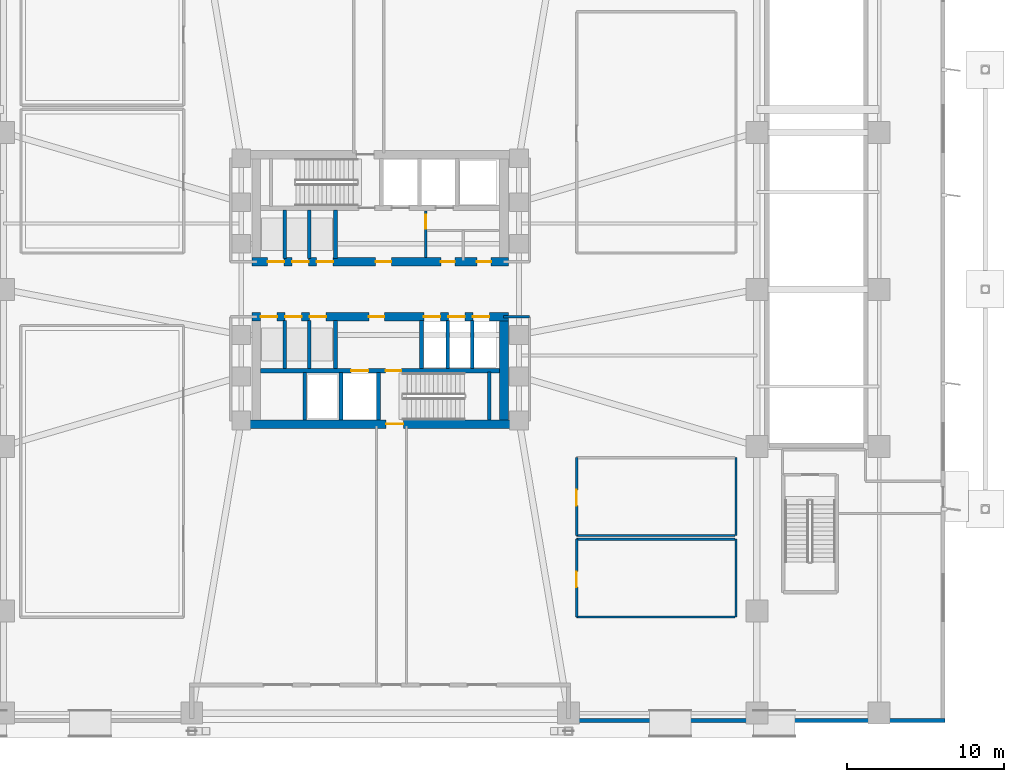
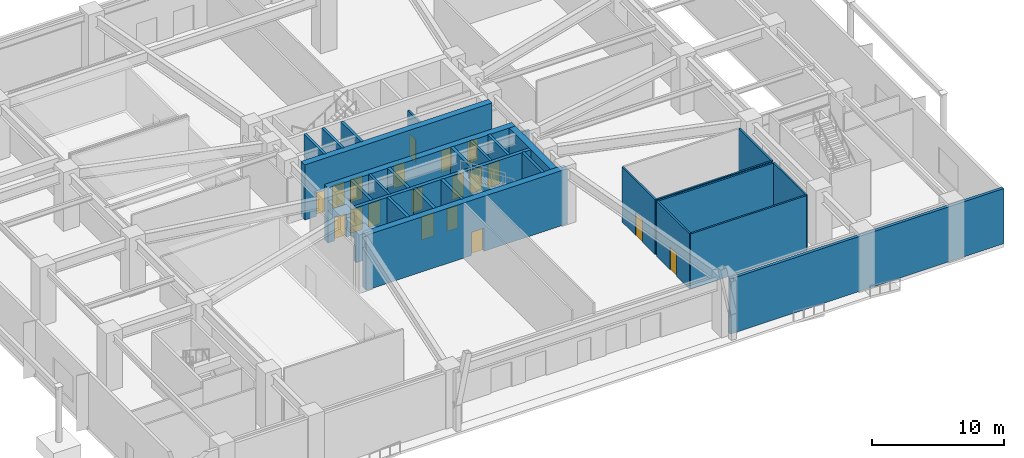
# One storey, part 12 of 20: 28 walls, 19 doors, 19 openings.
"""IFC4 building model written with IfcOpenShell, lengths in metres."""

from ifc_helpers import new_model, si_unit, direction, frame, frame_2d, origin, place, context, subcontext, project, spatial, rectangle, extrude, material, layer, layer_set, type_object, element, fill, save


model = new_model("IFC4")

# Units and contexts
model_context = context("Model", 3, precision=1e-05, world=origin(), true_north=direction((0.0, 1.0)))
body_context = subcontext(model_context, "Body", "Model", "MODEL_VIEW")
ifc_project = project(units=[si_unit("LENGTHUNIT", "METRE"), si_unit("AREAUNIT", "SQUARE_METRE"), si_unit("VOLUMEUNIT", "CUBIC_METRE"), si_unit("PLANEANGLEUNIT", "RADIAN"), si_unit("MASSUNIT", "GRAM", prefix="KILO")], contexts=[model_context])

# Site, building, storey
site_placement = place(None, origin())
site = spatial("IfcSite", under=ifc_project, at=site_placement, CompositionType="ELEMENT")
building_placement = place(site_placement, origin())
building = spatial("IfcBuilding", under=site, at=building_placement, Name="Solmarez Civic Tower", CompositionType="ELEMENT")
storey_placement = place(building_placement, origin())
storey = spatial("IfcBuildingStorey", under=building, at=storey_placement, Name="L00", CompositionType="ELEMENT", Elevation=0.0)

# Wall, openings, doors
ifc_material_1 = material(Name="Concrete C60/75", Category="concrete")
ifc_layer_1 = layer(ifc_material_1, 0.550048828125)
ifc_layer_set_1 = layer_set([ifc_layer_1], Name="Concrete C60/75")
wall_type_1 = type_object("IfcWallType", Name="WALL-CORE-550", PredefinedType="SHEAR", material=ifc_layer_set_1)
wall_1_placement = place(storey_placement, frame((8.169921875, 1.75, 0.0), z_axis=(0.0, 0.0, 1.0), x_axis=(-1.0, 0.0, 0.0)))
wall_1 = element("IfcWall", 1, at=wall_1_placement, inside=storey, type_object=wall_type_1, Name="L00 Split-Core Structural Wall NCW-S-L00", PredefinedType="SHEAR", context=body_context, shape_type="SweptSolid", body=[
    extrude(rectangle(XDim=16.33984375, YDim=0.550048828125, at=frame_2d((8.169921875, 0.0))), origin(), (0.0, 0.0, 1.0), 5.080078125),
])
opening_1_placement = place(wall_1_placement, frame((7.449951171875, 0.0, 0.0)))
opening_1 = element("IfcOpeningElement", 2, at=opening_1_placement, cuts=wall_1, Name="Opening D-04", PredefinedType="OPENING", context=body_context, shape_type="SweptSolid", body=[
    extrude(rectangle(XDim=1.0, YDim=2.10009765625, at=frame_2d((0.5, 1.050048828125))), frame((0.0, 0.284912109375, 0.0), z_axis=(0.0, -1.0, 0.0), x_axis=(1.0, 0.0, 0.0)), (0.0, 0.0, 1.0), 0.570068359375),
])
opening_2_placement = place(wall_1_placement, frame((14.284912109375, 0.0, 0.0)))
opening_2 = element("IfcOpeningElement", 3, at=opening_2_placement, cuts=wall_1, Name="Opening LD-01", PredefinedType="OPENING", context=body_context, shape_type="SweptSolid", body=[
    extrude(rectangle(XDim=1.050048828125, YDim=2.14990234375, at=frame_2d((0.52490234375, 1.074951171875))), frame((0.0, 0.284912109375, 0.0), z_axis=(0.0, -1.0, 0.0), x_axis=(1.0, 0.0, 0.0)), (0.0, 0.0, 1.0), 0.570068359375),
])
opening_3_placement = place(wall_1_placement, frame((12.72509765625, 0.0, 0.0)))
opening_3 = element("IfcOpeningElement", 4, at=opening_3_placement, cuts=wall_1, Name="Opening LD-01", PredefinedType="OPENING", context=body_context, shape_type="SweptSolid", body=[
    extrude(rectangle(XDim=1.050048828125, YDim=2.14990234375, at=frame_2d((0.52490234375, 1.074951171875))), frame((0.0, 0.284912109375, 0.0), z_axis=(0.0, -1.0, 0.0), x_axis=(1.0, 0.0, 0.0)), (0.0, 0.0, 1.0), 0.570068359375),
])
opening_4_placement = place(wall_1_placement, frame((11.1650390625, 0.0, 0.0)))
opening_4 = element("IfcOpeningElement", 5, at=opening_4_placement, cuts=wall_1, Name="Opening LD-01", PredefinedType="OPENING", context=body_context, shape_type="SweptSolid", body=[
    extrude(rectangle(XDim=1.050048828125, YDim=2.14990234375, at=frame_2d((0.52490234375, 1.074951171875))), frame((0.0, 0.284912109375, 0.0), z_axis=(0.0, -1.0, 0.0), x_axis=(1.0, 0.0, 0.0)), (0.0, 0.0, 1.0), 0.570068359375),
])
opening_5_placement = place(wall_1_placement, frame((3.39990234375, 0.0, 0.0)))
opening_5 = element("IfcOpeningElement", 6, at=opening_5_placement, cuts=wall_1, Name="Opening D-09", PredefinedType="OPENING", context=body_context, shape_type="SweptSolid", body=[
    extrude(rectangle(XDim=0.89990234375, YDim=2.06005859375, at=frame_2d((0.449951171875, 1.030029296875))), frame((0.0, 0.284912109375, 0.0), z_axis=(0.0, -1.0, 0.0), x_axis=(1.0, 0.0, 0.0)), (0.0, 0.0, 1.0), 0.570068359375),
])
opening_6_placement = place(wall_1_placement, frame((1.10009765625, 0.0, 0.0)))
opening_6 = element("IfcOpeningElement", 7, at=opening_6_placement, cuts=wall_1, Name="Opening D-09", PredefinedType="OPENING", context=body_context, shape_type="SweptSolid", body=[
    extrude(rectangle(XDim=0.89990234375, YDim=2.06005859375, at=frame_2d((0.449951171875, 1.030029296875))), frame((0.0, 0.284912109375, 0.0), z_axis=(0.0, -1.0, 0.0), x_axis=(1.0, 0.0, 0.0)), (0.0, 0.0, 1.0), 0.570068359375),
])
ifc_material_2 = material(Name="Steel-Faced Acoustic Fire Door", Category="steel")
door_type_1 = type_object("IfcDoorType", Name="DOOR-FD60-1000", OperationType="NOTDEFINED", PredefinedType="DOOR", material=ifc_material_2)
door_1_placement = place(opening_1_placement, origin())
door_1 = element("IfcDoor", 8, at=door_1_placement, inside=storey, type_object=door_type_1, Name="L00 North Firefighting Lobby Door", OperationType="SINGLE_SWING_LEFT", OverallHeight=2.10009765625, OverallWidth=1.0, PredefinedType="DOOR", context=body_context, shape_type="SweptSolid", body=[
    extrude(rectangle(XDim=1.0, YDim=2.10009765625, at=frame_2d((0.5, 1.050048828125))), frame((0.0, 0.02490234375, 0.0), z_axis=(0.0, -1.0, 0.0), x_axis=(1.0, 0.0, 0.0)), (0.0, 0.0, 1.0), 0.050048828125),
])
fill(opening_1, door_1)
ifc_material_3 = material(Name="Fire-Rated Service Core Door", Category="wood")
door_type_2 = type_object("IfcDoorType", Name="DOOR-FD60-900", OperationType="NOTDEFINED", PredefinedType="DOOR", material=ifc_material_3)
door_2_placement = place(opening_5_placement, origin())
door_2 = element("IfcDoor", 9, at=door_2_placement, inside=storey, type_object=door_type_2, Name="L00 Core WC Door", OperationType="SINGLE_SWING_LEFT", OverallHeight=2.06005859375, OverallWidth=0.89990234375, PredefinedType="DOOR", context=body_context, shape_type="SweptSolid", body=[
    extrude(rectangle(XDim=0.89990234375, YDim=2.06005859375, at=frame_2d((0.449951171875, 1.030029296875))), frame((0.0, 0.02490234375, 0.0), z_axis=(0.0, -1.0, 0.0), x_axis=(1.0, 0.0, 0.0)), (0.0, 0.0, 1.0), 0.050048828125),
])
fill(opening_5, door_2)
door_3_placement = place(opening_6_placement, origin())
door_3 = element("IfcDoor", 10, at=door_3_placement, inside=storey, type_object=door_type_2, Name="L00 Core CL Door", OperationType="SINGLE_SWING_RIGHT", OverallHeight=2.06005859375, OverallWidth=0.89990234375, PredefinedType="DOOR", context=body_context, shape_type="SweptSolid", body=[
    extrude(rectangle(XDim=0.89990234375, YDim=2.06005859375, at=frame_2d((0.449951171875, 1.030029296875))), frame((0.0, 0.02490234375, 0.0), z_axis=(0.0, -1.0, 0.0), x_axis=(1.0, 0.0, 0.0)), (0.0, 0.0, 1.0), 0.050048828125),
])
fill(opening_6, door_3)
ifc_material_4 = material(Name="Bronze Passenger Lift Landing Sliding Door", Category="aluminium")
door_type_3 = type_object("IfcDoorType", Name="DOOR-LD-PAX-1050", OperationType="DOUBLE_DOOR_SLIDING", PredefinedType="DOOR", material=ifc_material_4)
door_4_placement = place(opening_2_placement, origin())
door_4 = element("IfcDoor", 11, at=door_4_placement, inside=storey, type_object=door_type_3, Name="L00 High-Rise Lift Landing Door PL-H1", OperationType="DOUBLE_DOOR_SLIDING", OverallHeight=2.14990234375, OverallWidth=1.050048828125, PredefinedType="DOOR", context=body_context, shape_type="SweptSolid", body=[
    extrude(rectangle(XDim=1.050048828125, YDim=2.14990234375, at=frame_2d((0.52490234375, 1.074951171875))), frame((0.0, 0.02490234375, 0.0), z_axis=(0.0, -1.0, 0.0), x_axis=(1.0, 0.0, 0.0)), (0.0, 0.0, 1.0), 0.050048828125),
])
fill(opening_2, door_4)
door_5_placement = place(opening_3_placement, origin())
door_5 = element("IfcDoor", 12, at=door_5_placement, inside=storey, type_object=door_type_3, Name="L00 High-Rise Lift Landing Door PL-H2", OperationType="DOUBLE_DOOR_SLIDING", OverallHeight=2.14990234375, OverallWidth=1.050048828125, PredefinedType="DOOR", context=body_context, shape_type="SweptSolid", body=[
    extrude(rectangle(XDim=1.050048828125, YDim=2.14990234375, at=frame_2d((0.52490234375, 1.074951171875))), frame((0.0, 0.02490234375, 0.0), z_axis=(0.0, -1.0, 0.0), x_axis=(1.0, 0.0, 0.0)), (0.0, 0.0, 1.0), 0.050048828125),
])
fill(opening_3, door_5)
door_6_placement = place(opening_4_placement, origin())
door_6 = element("IfcDoor", 13, at=door_6_placement, inside=storey, type_object=door_type_3, Name="L00 High-Rise Lift Landing Door PL-H3", OperationType="DOUBLE_DOOR_SLIDING", OverallHeight=2.14990234375, OverallWidth=1.050048828125, PredefinedType="DOOR", context=body_context, shape_type="SweptSolid", body=[
    extrude(rectangle(XDim=1.050048828125, YDim=2.14990234375, at=frame_2d((0.52490234375, 1.074951171875))), frame((0.0, 0.02490234375, 0.0), z_axis=(0.0, -1.0, 0.0), x_axis=(1.0, 0.0, 0.0)), (0.0, 0.0, 1.0), 0.050048828125),
])
fill(opening_4, door_6)

# Wall, opening, door
wall_2_placement = place(storey_placement, frame((8.780029296875, -8.5849609375, 0.0), z_axis=(0.0, 0.0, 1.0), x_axis=(-1.0, 0.0, 0.0)))
wall_2 = element("IfcWall", 14, at=wall_2_placement, inside=storey, type_object=wall_type_1, Name="L00 Split-Core Structural Wall SCW-S-L00", PredefinedType="SHEAR", context=body_context, shape_type="SweptSolid", body=[
    extrude(rectangle(XDim=17.56005859375, YDim=0.550048828125, at=frame_2d((8.780029296875, 0.0))), origin(), (0.0, 0.0, 1.0), 5.080078125),
])
opening_7_placement = place(wall_2_placement, frame((7.2900390625, 0.0, 0.0)))
opening_7 = element("IfcOpeningElement", 15, at=opening_7_placement, cuts=wall_2, Name="Opening D-07", PredefinedType="OPENING", context=body_context, shape_type="SweptSolid", body=[
    extrude(rectangle(XDim=1.10009765625, YDim=2.14990234375, at=frame_2d((0.550048828125, 1.074951171875))), frame((0.0, 0.284912109375, 0.0), z_axis=(0.0, -1.0, 0.0), x_axis=(1.0, 0.0, 0.0)), (0.0, 0.0, 1.0), 0.570068359375),
])
ifc_material_5 = material(Name="Heavy-Duty Fire Exit Door", Category="wood")
door_type_4 = type_object("IfcDoorType", Name="DOOR-FD90-1100", OperationType="NOTDEFINED", PredefinedType="DOOR", material=ifc_material_5)
door_7_placement = place(opening_7_placement, origin())
door_7 = element("IfcDoor", 16, at=door_7_placement, inside=storey, type_object=door_type_4, Name="L00 South Stair Exit Discharge Door", OperationType="SINGLE_SWING_LEFT", OverallHeight=2.14990234375, OverallWidth=1.10009765625, PredefinedType="DOOR", context=body_context, shape_type="SweptSolid", body=[
    extrude(rectangle(XDim=1.10009765625, YDim=2.14990234375, at=frame_2d((0.550048828125, 1.074951171875))), frame((0.0, 0.02490234375, 0.0), z_axis=(0.0, -1.0, 0.0), x_axis=(1.0, 0.0, 0.0)), (0.0, 0.0, 1.0), 0.050048828125),
])
fill(opening_7, door_7)

# Wall, openings, doors
wall_3_placement = place(storey_placement, frame((-8.169921875, -1.75, 0.0), z_axis=(0.0, 0.0, 1.0), x_axis=(1.0, 0.0, 0.0)))
wall_3 = element("IfcWall", 17, at=wall_3_placement, inside=storey, type_object=wall_type_1, Name="L00 Split-Core Structural Wall SCW-N-L00", PredefinedType="SHEAR", context=body_context, shape_type="SweptSolid", body=[
    extrude(rectangle(XDim=16.33984375, YDim=0.550048828125, at=frame_2d((8.169921875, 0.0))), origin(), (0.0, 0.0, 1.0), 5.080078125),
])
opening_8_placement = place(wall_3_placement, frame((7.449951171875, 0.0, 0.0)))
opening_8 = element("IfcOpeningElement", 18, at=opening_8_placement, cuts=wall_3, Name="Opening D-04", PredefinedType="OPENING", context=body_context, shape_type="SweptSolid", body=[
    extrude(rectangle(XDim=1.0, YDim=2.10009765625, at=frame_2d((0.5, 1.050048828125))), frame((0.0, 0.284912109375, 0.0), z_axis=(0.0, -1.0, 0.0), x_axis=(1.0, 0.0, 0.0)), (0.0, 0.0, 1.0), 0.570068359375),
])
opening_9_placement = place(wall_3_placement, frame((10.965087890625, 0.0, 0.0)))
opening_9 = element("IfcOpeningElement", 19, at=opening_9_placement, cuts=wall_3, Name="Opening LD-01", PredefinedType="OPENING", context=body_context, shape_type="SweptSolid", body=[
    extrude(rectangle(XDim=1.050048828125, YDim=2.14990234375, at=frame_2d((0.52490234375, 1.074951171875))), frame((0.0, 0.284912109375, 0.0), z_axis=(0.0, -1.0, 0.0), x_axis=(1.0, 0.0, 0.0)), (0.0, 0.0, 1.0), 0.570068359375),
])
opening_10_placement = place(wall_3_placement, frame((12.52490234375, 0.0, 0.0)))
opening_10 = element("IfcOpeningElement", 20, at=opening_10_placement, cuts=wall_3, Name="Opening LD-01", PredefinedType="OPENING", context=body_context, shape_type="SweptSolid", body=[
    extrude(rectangle(XDim=1.050048828125, YDim=2.14990234375, at=frame_2d((0.52490234375, 1.074951171875))), frame((0.0, 0.284912109375, 0.0), z_axis=(0.0, -1.0, 0.0), x_axis=(1.0, 0.0, 0.0)), (0.0, 0.0, 1.0), 0.570068359375),
])
opening_11_placement = place(wall_3_placement, frame((14.0849609375, 0.0, 0.0)))
opening_11 = element("IfcOpeningElement", 21, at=opening_11_placement, cuts=wall_3, Name="Opening LD-01", PredefinedType="OPENING", context=body_context, shape_type="SweptSolid", body=[
    extrude(rectangle(XDim=1.050048828125, YDim=2.14990234375, at=frame_2d((0.52490234375, 1.074951171875))), frame((0.0, 0.284912109375, 0.0), z_axis=(0.0, -1.0, 0.0), x_axis=(1.0, 0.0, 0.0)), (0.0, 0.0, 1.0), 0.570068359375),
])
opening_12_placement = place(wall_3_placement, frame((0.56494140625, 0.0, 0.0)))
opening_12 = element("IfcOpeningElement", 22, at=opening_12_placement, cuts=wall_3, Name="Opening LD-01", PredefinedType="OPENING", context=body_context, shape_type="SweptSolid", body=[
    extrude(rectangle(XDim=1.050048828125, YDim=2.14990234375, at=frame_2d((0.52490234375, 1.074951171875))), frame((0.0, 0.284912109375, 0.0), z_axis=(0.0, -1.0, 0.0), x_axis=(1.0, 0.0, 0.0)), (0.0, 0.0, 1.0), 0.570068359375),
])
opening_13_placement = place(wall_3_placement, frame((2.125, 0.0, 0.0)))
opening_13 = element("IfcOpeningElement", 23, at=opening_13_placement, cuts=wall_3, Name="Opening LD-01", PredefinedType="OPENING", context=body_context, shape_type="SweptSolid", body=[
    extrude(rectangle(XDim=1.050048828125, YDim=2.14990234375, at=frame_2d((0.52490234375, 1.074951171875))), frame((0.0, 0.284912109375, 0.0), z_axis=(0.0, -1.0, 0.0), x_axis=(1.0, 0.0, 0.0)), (0.0, 0.0, 1.0), 0.570068359375),
])
opening_14_placement = place(wall_3_placement, frame((3.68505859375, 0.0, 0.0)))
opening_14 = element("IfcOpeningElement", 24, at=opening_14_placement, cuts=wall_3, Name="Opening LD-01", PredefinedType="OPENING", context=body_context, shape_type="SweptSolid", body=[
    extrude(rectangle(XDim=1.050048828125, YDim=2.14990234375, at=frame_2d((0.52490234375, 1.074951171875))), frame((0.0, 0.284912109375, 0.0), z_axis=(0.0, -1.0, 0.0), x_axis=(1.0, 0.0, 0.0)), (0.0, 0.0, 1.0), 0.570068359375),
])
door_8_placement = place(opening_8_placement, origin())
door_8 = element("IfcDoor", 25, at=door_8_placement, inside=storey, type_object=door_type_1, Name="L00 South Firefighting Lobby Door", OperationType="SINGLE_SWING_RIGHT", OverallHeight=2.10009765625, OverallWidth=1.0, PredefinedType="DOOR", context=body_context, shape_type="SweptSolid", body=[
    extrude(rectangle(XDim=1.0, YDim=2.10009765625, at=frame_2d((0.5, 1.050048828125))), frame((0.0, 0.02490234375, 0.0), z_axis=(0.0, -1.0, 0.0), x_axis=(1.0, 0.0, 0.0)), (0.0, 0.0, 1.0), 0.050048828125),
])
fill(opening_8, door_8)
door_9_placement = place(opening_9_placement, origin())
door_9 = element("IfcDoor", 26, at=door_9_placement, inside=storey, type_object=door_type_3, Name="L00 Low-Rise Lift Landing Door PL-L1", OperationType="DOUBLE_DOOR_SLIDING", OverallHeight=2.14990234375, OverallWidth=1.050048828125, PredefinedType="DOOR", context=body_context, shape_type="SweptSolid", body=[
    extrude(rectangle(XDim=1.050048828125, YDim=2.14990234375, at=frame_2d((0.52490234375, 1.074951171875))), frame((0.0, 0.02490234375, 0.0), z_axis=(0.0, -1.0, 0.0), x_axis=(1.0, 0.0, 0.0)), (0.0, 0.0, 1.0), 0.050048828125),
])
fill(opening_9, door_9)
door_10_placement = place(opening_10_placement, origin())
door_10 = element("IfcDoor", 27, at=door_10_placement, inside=storey, type_object=door_type_3, Name="L00 Low-Rise Lift Landing Door PL-L2", OperationType="DOUBLE_DOOR_SLIDING", OverallHeight=2.14990234375, OverallWidth=1.050048828125, PredefinedType="DOOR", context=body_context, shape_type="SweptSolid", body=[
    extrude(rectangle(XDim=1.050048828125, YDim=2.14990234375, at=frame_2d((0.52490234375, 1.074951171875))), frame((0.0, 0.02490234375, 0.0), z_axis=(0.0, -1.0, 0.0), x_axis=(1.0, 0.0, 0.0)), (0.0, 0.0, 1.0), 0.050048828125),
])
fill(opening_10, door_10)
door_11_placement = place(opening_11_placement, origin())
door_11 = element("IfcDoor", 28, at=door_11_placement, inside=storey, type_object=door_type_3, Name="L00 Low-Rise Lift Landing Door PL-L3", OperationType="DOUBLE_DOOR_SLIDING", OverallHeight=2.14990234375, OverallWidth=1.050048828125, PredefinedType="DOOR", context=body_context, shape_type="SweptSolid", body=[
    extrude(rectangle(XDim=1.050048828125, YDim=2.14990234375, at=frame_2d((0.52490234375, 1.074951171875))), frame((0.0, 0.02490234375, 0.0), z_axis=(0.0, -1.0, 0.0), x_axis=(1.0, 0.0, 0.0)), (0.0, 0.0, 1.0), 0.050048828125),
])
fill(opening_11, door_11)
door_12_placement = place(opening_12_placement, origin())
door_12 = element("IfcDoor", 29, at=door_12_placement, inside=storey, type_object=door_type_3, Name="L00 Mid-Rise Lift Landing Door PL-M1", OperationType="DOUBLE_DOOR_SLIDING", OverallHeight=2.14990234375, OverallWidth=1.050048828125, PredefinedType="DOOR", context=body_context, shape_type="SweptSolid", body=[
    extrude(rectangle(XDim=1.050048828125, YDim=2.14990234375, at=frame_2d((0.52490234375, 1.074951171875))), frame((0.0, 0.02490234375, 0.0), z_axis=(0.0, -1.0, 0.0), x_axis=(1.0, 0.0, 0.0)), (0.0, 0.0, 1.0), 0.050048828125),
])
fill(opening_12, door_12)
door_13_placement = place(opening_13_placement, origin())
door_13 = element("IfcDoor", 30, at=door_13_placement, inside=storey, type_object=door_type_3, Name="L00 Mid-Rise Lift Landing Door PL-M2", OperationType="DOUBLE_DOOR_SLIDING", OverallHeight=2.14990234375, OverallWidth=1.050048828125, PredefinedType="DOOR", context=body_context, shape_type="SweptSolid", body=[
    extrude(rectangle(XDim=1.050048828125, YDim=2.14990234375, at=frame_2d((0.52490234375, 1.074951171875))), frame((0.0, 0.02490234375, 0.0), z_axis=(0.0, -1.0, 0.0), x_axis=(1.0, 0.0, 0.0)), (0.0, 0.0, 1.0), 0.050048828125),
])
fill(opening_13, door_13)
door_14_placement = place(opening_14_placement, origin())
door_14 = element("IfcDoor", 31, at=door_14_placement, inside=storey, type_object=door_type_3, Name="L00 Mid-Rise Lift Landing Door PL-M3", OperationType="DOUBLE_DOOR_SLIDING", OverallHeight=2.14990234375, OverallWidth=1.050048828125, PredefinedType="DOOR", context=body_context, shape_type="SweptSolid", body=[
    extrude(rectangle(XDim=1.050048828125, YDim=2.14990234375, at=frame_2d((0.52490234375, 1.074951171875))), frame((0.0, 0.02490234375, 0.0), z_axis=(0.0, -1.0, 0.0), x_axis=(1.0, 0.0, 0.0)), (0.0, 0.0, 1.0), 0.050048828125),
])
fill(opening_14, door_14)

# Walls
wall_4_placement = place(storey_placement, frame((7.89501953125, -2.02490234375, 0.0), z_axis=(0.0, 0.0, 1.0), x_axis=(0.0, -1.0, 0.0)))
element("IfcWall", 32, at=wall_4_placement, inside=storey, type_object=wall_type_1, Name="L00 Split-Core Structural Wall SCW-E-L00", PredefinedType="SHEAR", context=body_context, shape_type="SweptSolid", body=[
    extrude(rectangle(XDim=6.28515625, YDim=0.550048828125, at=frame_2d((3.142578125, 0.0))), origin(), (0.0, 0.0, 1.0), 5.080078125),
])
ifc_material_6 = material(Name="Precast concrete C40/50", Category="concrete")
ifc_layer_2 = layer(ifc_material_6, 0.260009765625)
ifc_layer_set_2 = layer_set([ifc_layer_2], Name="Precast concrete C40/50")
wall_type_2 = type_object("IfcWallType", Name="WALL-EXT-260", PredefinedType="SOLIDWALL", material=ifc_layer_set_2)
wall_5_placement = place(storey_placement, frame((36.0, -27.469970703125, 0.0), z_axis=(0.0, 0.0, 1.0), x_axis=(-1.0, 0.0, 0.0)))
element("IfcWall", 33, at=wall_5_placement, inside=storey, type_object=wall_type_2, Name="L00 South Arch Podium Wall EW-SE-L00", PredefinedType="SOLIDWALL", context=body_context, shape_type="SweptSolid", body=[
    extrude(rectangle(XDim=23.8701171875, YDim=0.260009765625, at=frame_2d((11.93505859375, 0.0))), origin(), (0.0, 0.0, 1.0), 5.080078125),
])
ifc_material_7 = material(Name="Gypsum Board Acoustic Steel-Stud Partition", Category="steel")
ifc_layer_3 = layer(ifc_material_7, 0.14990234375)
ifc_layer_set_3 = layer_set([ifc_layer_3], Name="Gypsum Board Acoustic Steel-Stud Partition")
wall_type_3 = type_object("IfcWallType", Name="WALL-INT-FIRE-150", PredefinedType="PARTITIONING", material=ifc_layer_set_3)
wall_6_placement = place(storey_placement, frame((7.85009765625, -1.75, 0.0), z_axis=(0.0, 0.0, 1.0), x_axis=(1.0, 0.0, 0.0)))
element("IfcWall", 34, at=wall_6_placement, inside=storey, type_object=wall_type_3, Name="L00 Interior Partition CHW-L00-ES3", PredefinedType="PARTITIONING", context=body_context, shape_type="SweptSolid", body=[
    extrude(rectangle(XDim=1.669921875, YDim=0.14990234375, at=frame_2d((0.8349609375, 0.0))), origin(), (0.0, 0.0, 1.0), 4.14501953125),
])

# Wall, opening, door
wall_7_placement = place(storey_placement, frame((12.52001953125, -20.8798828125, 0.0), z_axis=(0.0, 0.0, 1.0), x_axis=(0.0, 1.0, 0.0)))
wall_7 = element("IfcWall", 35, at=wall_7_placement, inside=storey, type_object=wall_type_3, Name="L00 Interior Partition PT-L00-FCC-F", PredefinedType="PARTITIONING", context=body_context, shape_type="SweptSolid", body=[
    extrude(rectangle(XDim=4.9599609375, YDim=0.14990234375, at=frame_2d((2.47998046875, 0.0))), origin(), (0.0, 0.0, 1.0), 5.080078125),
])
opening_15_placement = place(wall_7_placement, frame((1.89990234375, 0.0, 0.0)))
opening_15 = element("IfcOpeningElement", 36, at=opening_15_placement, cuts=wall_7, Name="Opening D-04", PredefinedType="OPENING", context=body_context, shape_type="SweptSolid", body=[
    extrude(rectangle(XDim=1.0, YDim=2.10009765625, at=frame_2d((0.5, 1.050048828125))), frame((0.0, 0.0849609375, 0.0), z_axis=(0.0, -1.0, 0.0), x_axis=(1.0, 0.0, 0.0)), (0.0, 0.0, 1.0), 0.169921875),
])
door_15_placement = place(opening_15_placement, origin())
door_15 = element("IfcDoor", 37, at=door_15_placement, inside=storey, type_object=door_type_1, Name="L00 Fire Command Room Door", OperationType="SINGLE_SWING_LEFT", OverallHeight=2.10009765625, OverallWidth=1.0, PredefinedType="DOOR", context=body_context, shape_type="SweptSolid", body=[
    extrude(rectangle(XDim=1.0, YDim=2.10009765625, at=frame_2d((0.5, 1.050048828125))), frame((0.0, 0.02490234375, 0.0), z_axis=(0.0, -1.0, 0.0), x_axis=(1.0, 0.0, 0.0)), (0.0, 0.0, 1.0), 0.050048828125),
])
fill(opening_15, door_15)

# Walls
for number, where, z_axis, x_axis, name in (
    (38, (12.52001953125, -20.8798828125, 0.0), (0.0, 0.0, 1.0), (1.0, 0.0, 0.0), "L00 Interior Partition PT-L00-FCC-S"),
    (39, (12.52001953125, -15.919921875, 0.0), (0.0, 0.0, 1.0), (1.0, 0.0, 0.0), "L00 Interior Partition PT-L00-FCC-N"),
):
    element("IfcWall", number, at=place(storey_placement, frame(where, z_axis=z_axis, x_axis=x_axis)), inside=storey, type_object=wall_type_3, Name=name, PredefinedType="PARTITIONING", context=body_context, shape_type="SweptSolid", body=[
        extrude(rectangle(XDim=10.080078125, YDim=0.14990234375, at=frame_2d((5.0400390625, 0.0))), origin(), (0.0, 0.0, 1.0), 5.080078125),
    ])
wall_8_placement = place(storey_placement, frame((22.679931640625, -20.8798828125, 0.0), z_axis=(0.0, 0.0, 1.0), x_axis=(0.0, 1.0, 0.0)))
element("IfcWall", 40, at=wall_8_placement, inside=storey, type_object=wall_type_3, Name="L00 Interior Partition PT-L00-FCC-B", PredefinedType="PARTITIONING", context=body_context, shape_type="SweptSolid", body=[
    extrude(rectangle(XDim=4.9599609375, YDim=0.14990234375, at=frame_2d((2.47998046875, 0.0))), origin(), (0.0, 0.0, 1.0), 5.080078125),
])

# Wall, opening, door
wall_9_placement = place(storey_placement, frame((12.52001953125, -15.679931640625, 0.0), z_axis=(0.0, 0.0, 1.0), x_axis=(0.0, 1.0, 0.0)))
wall_9 = element("IfcWall", 41, at=wall_9_placement, inside=storey, type_object=wall_type_3, Name="L00 Interior Partition PT-L00-PWC-F", PredefinedType="PARTITIONING", context=body_context, shape_type="SweptSolid", body=[
    extrude(rectangle(XDim=4.9599609375, YDim=0.14990234375, at=frame_2d((2.47998046875, 0.0))), origin(), (0.0, 0.0, 1.0), 5.080078125),
])
opening_16_placement = place(wall_9_placement, frame((1.89990234375, 0.0, 0.0)))
opening_16 = element("IfcOpeningElement", 42, at=opening_16_placement, cuts=wall_9, Name="Opening D-04", PredefinedType="OPENING", context=body_context, shape_type="SweptSolid", body=[
    extrude(rectangle(XDim=1.0, YDim=2.10009765625, at=frame_2d((0.5, 1.050048828125))), frame((0.0, 0.0849609375, 0.0), z_axis=(0.0, -1.0, 0.0), x_axis=(1.0, 0.0, 0.0)), (0.0, 0.0, 1.0), 0.169921875),
])
door_16_placement = place(opening_16_placement, origin())
door_16 = element("IfcDoor", 43, at=door_16_placement, inside=storey, type_object=door_type_1, Name="L00 Public and Accessible Restrooms Door", OperationType="SINGLE_SWING_LEFT", OverallHeight=2.10009765625, OverallWidth=1.0, PredefinedType="DOOR", context=body_context, shape_type="SweptSolid", body=[
    extrude(rectangle(XDim=1.0, YDim=2.10009765625, at=frame_2d((0.5, 1.050048828125))), frame((0.0, 0.02490234375, 0.0), z_axis=(0.0, -1.0, 0.0), x_axis=(1.0, 0.0, 0.0)), (0.0, 0.0, 1.0), 0.050048828125),
])
fill(opening_16, door_16)

# Walls
wall_10_placement = place(storey_placement, frame((12.52001953125, -15.679931640625, 0.0), z_axis=(0.0, 0.0, 1.0), x_axis=(1.0, 0.0, 0.0)))
element("IfcWall", 44, at=wall_10_placement, inside=storey, type_object=wall_type_3, Name="L00 Interior Partition PT-L00-PWC-S", PredefinedType="PARTITIONING", context=body_context, shape_type="SweptSolid", body=[
    extrude(rectangle(XDim=10.080078125, YDim=0.14990234375, at=frame_2d((5.0400390625, 0.0))), origin(), (0.0, 0.0, 1.0), 5.080078125),
])
wall_11_placement = place(storey_placement, frame((22.679931640625, -15.679931640625, 0.0), z_axis=(0.0, 0.0, 1.0), x_axis=(0.0, 1.0, 0.0)))
element("IfcWall", 45, at=wall_11_placement, inside=storey, type_object=wall_type_3, Name="L00 Interior Partition PT-L00-PWC-B", PredefinedType="PARTITIONING", context=body_context, shape_type="SweptSolid", body=[
    extrude(rectangle(XDim=4.9599609375, YDim=0.14990234375, at=frame_2d((2.47998046875, 0.0))), origin(), (0.0, 0.0, 1.0), 5.080078125),
])

# Wall, opening, door
ifc_layer_4 = layer(ifc_material_7, 0.159912109375)
ifc_layer_set_4 = layer_set([ifc_layer_4], Name="Gypsum Board Acoustic Steel-Stud Partition")
wall_type_4 = type_object("IfcWallType", Name="WALL-INT-SHAFT-160", PredefinedType="PARTITIONING", material=ifc_layer_set_4)
wall_12_placement = place(storey_placement, frame((2.89990234375, 2.0400390625, 0.0), z_axis=(0.0, 0.0, 1.0), x_axis=(0.0, 1.0, 0.0)))
wall_12 = element("IfcWall", 46, at=wall_12_placement, inside=storey, type_object=wall_type_4, Name="L00 Interior Partition SHW-NL2-L00", PredefinedType="PARTITIONING", context=body_context, shape_type="SweptSolid", body=[
    extrude(rectangle(XDim=2.93994140625, YDim=0.159912109375, at=frame_2d((1.469970703125, 0.0))), origin(), (0.0, 0.0, 1.0), 4.14501953125),
])
opening_17_placement = place(wall_12_placement, frame((1.820068359375, 0.0, 0.0)))
opening_17 = element("IfcOpeningElement", 47, at=opening_17_placement, cuts=wall_12, Name="Opening D-09", PredefinedType="OPENING", context=body_context, shape_type="SweptSolid", body=[
    extrude(rectangle(XDim=0.89990234375, YDim=2.06005859375, at=frame_2d((0.449951171875, 1.030029296875))), frame((0.0, 0.08984375, 0.0), z_axis=(0.0, -1.0, 0.0), x_axis=(1.0, 0.0, 0.0)), (0.0, 0.0, 1.0), 0.179931640625),
])
door_17_placement = place(opening_17_placement, origin())
door_17 = element("IfcDoor", 48, at=door_17_placement, inside=storey, type_object=door_type_2, Name="L00 Service Lift Lobby Door", OperationType="SINGLE_SWING_LEFT", OverallHeight=2.06005859375, OverallWidth=0.89990234375, PredefinedType="DOOR", context=body_context, shape_type="SweptSolid", body=[
    extrude(rectangle(XDim=0.89990234375, YDim=2.06005859375, at=frame_2d((0.449951171875, 1.030029296875))), frame((0.0, 0.02490234375, 0.0), z_axis=(0.0, -1.0, 0.0), x_axis=(1.0, 0.0, 0.0)), (0.0, 0.0, 1.0), 0.050048828125),
])
fill(opening_17, door_17)

# Wall, openings, doors
ifc_material_8 = material(Name="Concrete C50/60", Category="concrete")
ifc_layer_5 = layer(ifc_material_8, 0.300048828125)
ifc_layer_set_5 = layer_set([ifc_layer_5], Name="Concrete C50/60")
wall_type_5 = type_object("IfcWallType", Name="WALL-STR-300", PredefinedType="SOLIDWALL", material=ifc_layer_set_5)
wall_13_placement = place(storey_placement, frame((-7.6201171875, -5.179931640625, 0.0), z_axis=(0.0, 0.0, 1.0), x_axis=(1.0, 0.0, 0.0)))
wall_13 = element("IfcWall", 49, at=wall_13_placement, inside=storey, type_object=wall_type_5, Name="L00 Split-Core Structural Wall SCW-M-L00", PredefinedType="SOLIDWALL", context=body_context, shape_type="SweptSolid", body=[
    extrude(rectangle(XDim=15.240234375, YDim=0.300048828125, at=frame_2d((7.6201171875, 0.0))), origin(), (0.0, 0.0, 1.0), 5.080078125),
])
opening_18_placement = place(wall_13_placement, frame((5.77001953125, 0.0, 0.0)))
opening_18 = element("IfcOpeningElement", 50, at=opening_18_placement, cuts=wall_13, Name="Opening LD-02", PredefinedType="OPENING", context=body_context, shape_type="SweptSolid", body=[
    extrude(rectangle(XDim=1.10009765625, YDim=2.14990234375, at=frame_2d((0.550048828125, 1.074951171875))), frame((0.0, 0.159912109375, 0.0), z_axis=(0.0, -1.0, 0.0), x_axis=(1.0, 0.0, 0.0)), (0.0, 0.0, 1.0), 0.320068359375),
])
opening_19_placement = place(wall_13_placement, frame((7.969970703125, 0.0, 0.0)))
opening_19 = element("IfcOpeningElement", 51, at=opening_19_placement, cuts=wall_13, Name="Opening D-05", PredefinedType="OPENING", context=body_context, shape_type="SweptSolid", body=[
    extrude(rectangle(XDim=1.0, YDim=2.10009765625, at=frame_2d((0.5, 1.050048828125))), frame((0.0, 0.159912109375, 0.0), z_axis=(0.0, -1.0, 0.0), x_axis=(1.0, 0.0, 0.0)), (0.0, 0.0, 1.0), 0.320068359375),
])
ifc_material_9 = material(Name="Fire-Rated Stairwell Exit Door", Category="wood")
door_type_5 = type_object("IfcDoorType", Name="DOOR-FD90-1000", OperationType="NOTDEFINED", PredefinedType="DOOR", material=ifc_material_9)
door_18_placement = place(opening_19_placement, origin())
door_18 = element("IfcDoor", 52, at=door_18_placement, inside=storey, type_object=door_type_5, Name="L00 South Exit Stair Door ST-2", OperationType="SINGLE_SWING_RIGHT", OverallHeight=2.10009765625, OverallWidth=1.0, PredefinedType="DOOR", context=body_context, shape_type="SweptSolid", body=[
    extrude(rectangle(XDim=1.0, YDim=2.10009765625, at=frame_2d((0.5, 1.050048828125))), frame((0.0, 0.02490234375, 0.0), z_axis=(0.0, -1.0, 0.0), x_axis=(1.0, 0.0, 0.0)), (0.0, 0.0, 1.0), 0.050048828125),
])
fill(opening_19, door_18)
ifc_material_10 = material(Name="Stainless Firefighting Lift Landing Sliding Door", Category="aluminium")
door_type_6 = type_object("IfcDoorType", Name="DOOR-LD-FF-1100", OperationType="DOUBLE_DOOR_SLIDING", PredefinedType="DOOR", material=ifc_material_10)
door_19_placement = place(opening_18_placement, origin())
door_19 = element("IfcDoor", 53, at=door_19_placement, inside=storey, type_object=door_type_6, Name="L00 Firefighting Lift Landing Door FFL-2", OperationType="DOUBLE_DOOR_SLIDING", OverallHeight=2.14990234375, OverallWidth=1.10009765625, PredefinedType="DOOR", context=body_context, shape_type="SweptSolid", body=[
    extrude(rectangle(XDim=1.10009765625, YDim=2.14990234375, at=frame_2d((0.550048828125, 1.074951171875))), frame((0.0, 0.02490234375, 0.0), z_axis=(0.0, -1.0, 0.0), x_axis=(1.0, 0.0, 0.0)), (0.0, 0.0, 1.0), 0.050048828125),
])
fill(opening_18, door_19)

# Walls
wall_14_placement = place(storey_placement, frame((6.949951171875, -8.340087890625, 0.0), z_axis=(0.0, 0.0, 1.0), x_axis=(0.0, 1.0, 0.0)))
element("IfcWall", 54, at=wall_14_placement, inside=storey, type_object=wall_type_5, Name="L00 Split-Core Structural Wall SHW-SE-L00", PredefinedType="SOLIDWALL", context=body_context, shape_type="SweptSolid", body=[
    extrude(rectangle(XDim=3.06005859375, YDim=0.219970703125, at=frame_2d((1.530029296875, 0.0))), origin(), (0.0, 0.0, 1.0), 5.080078125),
])
wall_15_placement = place(storey_placement, frame((-2.85009765625, 1.97998046875, 0.0), z_axis=(0.0, 0.0, 1.0), x_axis=(0.0, 1.0, 0.0)))
element("IfcWall", 55, at=wall_15_placement, inside=storey, type_object=wall_type_5, Name="L00 Split-Core Structural Wall SHW-NL1-L00", PredefinedType="SOLIDWALL", context=body_context, shape_type="SweptSolid", body=[
    extrude(rectangle(XDim=3.070068359375, YDim=0.25, at=frame_2d((1.53515625, 0.0))), origin(), (0.0, 0.0, 1.0), 5.080078125),
])
for number, where, z_axis, x_axis, name in (
    (56, (-0.10009765625, -8.340087890625, 0.0), (0.0, 0.0, 1.0), (0.0, 1.0, 0.0), "L00 Split-Core Structural Wall SHW-S1-L00"),
    (57, (-2.5, -8.340087890625, 0.0), (0.0, 0.0, 1.0), (0.0, 1.0, 0.0), "L00 Split-Core Structural Wall SHW-S2-L00"),
    (58, (-4.800048828125, -8.340087890625, 0.0), (0.0, 0.0, 1.0), (0.0, 1.0, 0.0), "L00 Split-Core Structural Wall SHW-S3-L00"),
):
    element("IfcWall", number, at=place(storey_placement, frame(where, z_axis=z_axis, x_axis=x_axis)), inside=storey, type_object=wall_type_5, Name=name, PredefinedType="SOLIDWALL", context=body_context, shape_type="SweptSolid", body=[
        extrude(rectangle(XDim=3.0400390625, YDim=0.25, at=frame_2d((1.52001953125, 0.0))), origin(), (0.0, 0.0, 1.0), 5.080078125),
    ])
for number, where, z_axis, x_axis, name in (
    (59, (-2.85009765625, -5.050048828125, 0.0), (0.0, 0.0, 1.0), (0.0, 1.0, 0.0), "L00 Split-Core Structural Wall SHW-SL1-L00"),
    (60, (2.64990234375, -5.050048828125, 0.0), (0.0, 0.0, 1.0), (0.0, 1.0, 0.0), "L00 Split-Core Structural Wall SHW-SL2-L00"),
):
    element("IfcWall", number, at=place(storey_placement, frame(where, z_axis=z_axis, x_axis=x_axis)), inside=storey, type_object=wall_type_5, Name=name, PredefinedType="SOLIDWALL", context=body_context, shape_type="SweptSolid", body=[
        extrude(rectangle(XDim=3.070068359375, YDim=0.25, at=frame_2d((1.53515625, 0.0))), origin(), (0.0, 0.0, 1.0), 5.080078125),
    ])
for number, where, z_axis, x_axis, name in (
    (61, (-6.080078125, 1.97998046875, 0.0), (0.0, 0.0, 1.0), (0.0, 1.0, 0.0), "L00 Split-Core Structural Wall SHW-PLH-L00-1"),
    (62, (-4.52001953125, 1.97998046875, 0.0), (0.0, 0.0, 1.0), (0.0, 1.0, 0.0), "L00 Split-Core Structural Wall SHW-PLH-L00-2"),
    (63, (4.320068359375, -5.050048828125, 0.0), (0.0, 0.0, 1.0), (0.0, 1.0, 0.0), "L00 Split-Core Structural Wall SHW-PLL-L00-1"),
    (64, (5.8798828125, -5.050048828125, 0.0), (0.0, 0.0, 1.0), (0.0, 1.0, 0.0), "L00 Split-Core Structural Wall SHW-PLL-L00-2"),
    (65, (-6.080078125, -5.050048828125, 0.0), (0.0, 0.0, 1.0), (0.0, 1.0, 0.0), "L00 Split-Core Structural Wall SHW-PLM-L00-1"),
    (66, (-4.52001953125, -5.050048828125, 0.0), (0.0, 0.0, 1.0), (0.0, 1.0, 0.0), "L00 Split-Core Structural Wall SHW-PLM-L00-2"),
):
    element("IfcWall", number, at=place(storey_placement, frame(where, z_axis=z_axis, x_axis=x_axis)), inside=storey, type_object=wall_type_5, Name=name, PredefinedType="SOLIDWALL", context=body_context, shape_type="SweptSolid", body=[
        extrude(rectangle(XDim=3.070068359375, YDim=0.219970703125, at=frame_2d((1.53515625, 0.0))), origin(), (0.0, 0.0, 1.0), 5.080078125),
    ])

save(model, "model.ifc")
